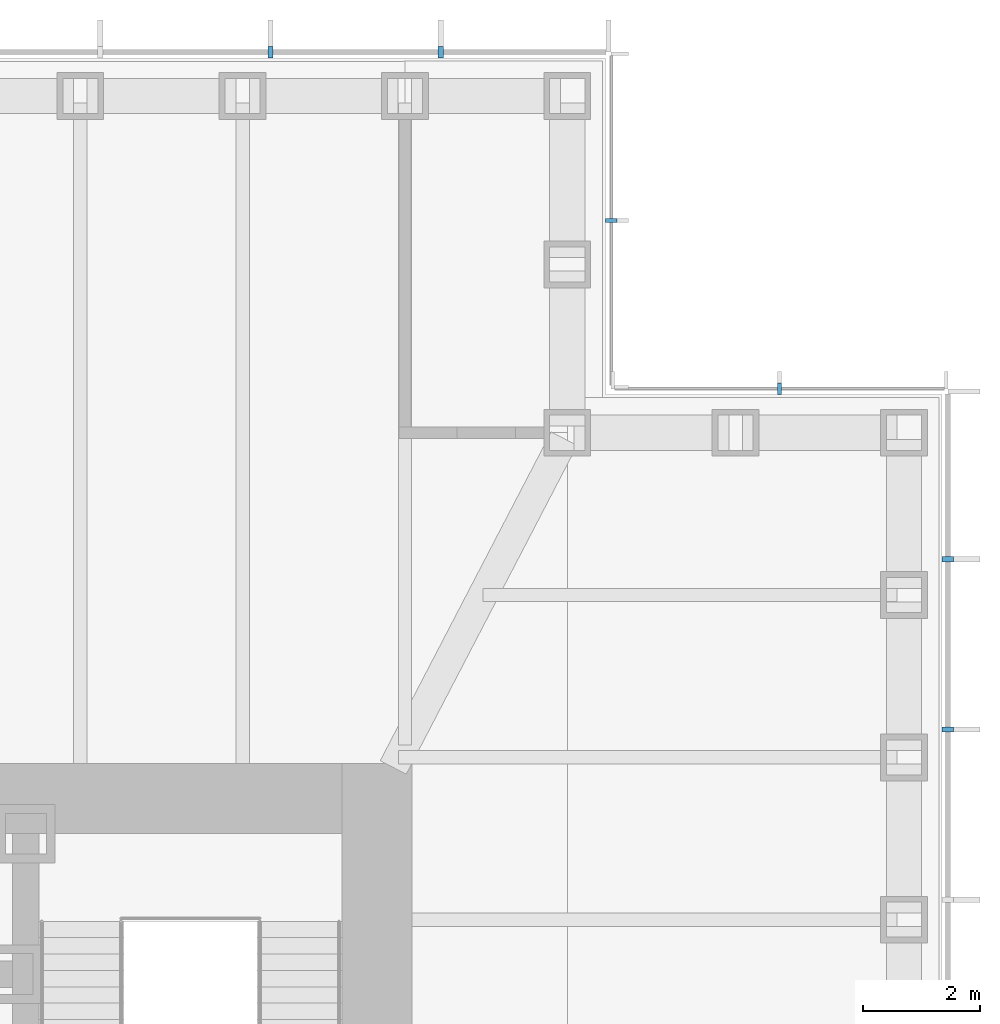
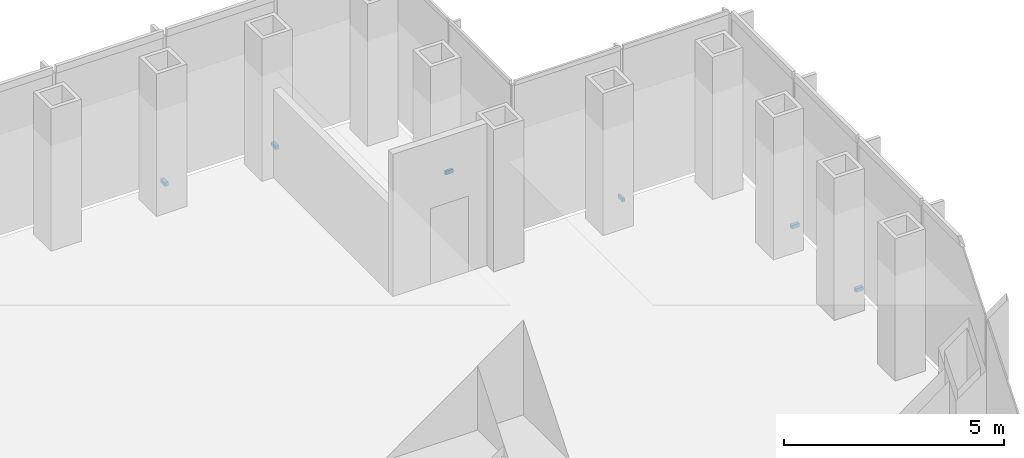
# One storey, part 15 of 16: 6 discrete accessories.
"""IFC4 building model written with IfcOpenShell, lengths in metres."""

from ifc_helpers import new_model, si_unit, direction, frame, origin, origin_2d, place, context, subcontext, project, spatial, rectangle, extrude, element, save


model = new_model("IFC4")

# Units and contexts
model_context = context("Model", 3, precision=1e-05, world=origin(), true_north=direction((0.0, 1.0)))
body_context = subcontext(model_context, "Body", "Model", "MODEL_VIEW")
ifc_project = project(units=[si_unit("LENGTHUNIT", "METRE"), si_unit("AREAUNIT", "SQUARE_METRE"), si_unit("VOLUMEUNIT", "CUBIC_METRE"), si_unit("PLANEANGLEUNIT", "RADIAN"), si_unit("MASSUNIT", "GRAM", prefix="KILO")], contexts=[model_context])

# Site, building, storey
site_placement = place(None, origin())
site = spatial("IfcSite", under=ifc_project, at=site_placement, CompositionType="ELEMENT")
building_placement = place(site_placement, origin())
building = spatial("IfcBuilding", under=site, at=building_placement, Name="Daluyong Arena Tower", CompositionType="ELEMENT")
storey_placement = place(building_placement, frame((0.0, 0.0, 275.5)))
storey = spatial("IfcBuildingStorey", under=building, at=storey_placement, Name="L62", CompositionType="ELEMENT", Elevation=275.5)

# Discrete accessories
for number, where, z_axis, x_axis, name in (
    (1, (77.75, 90.181884765625, -0.10009765625), (0.0, 0.0, 1.0), (0.0, 1.0, 0.0), "curtain wall L62 E anchor bracket 10"),
    (2, (77.75, 93.0908203125, -0.10009765625), (0.0, 0.0, 1.0), (0.0, 1.0, 0.0), "curtain wall L62 E anchor bracket 11"),
):
    element("IfcDiscreteAccessory", number, at=place(storey_placement, frame(where, z_axis=z_axis, x_axis=x_axis)), inside=storey, Name=name, PredefinedType="BRACKET", context=body_context, shape_type="SweptSolid", body=[
        extrude(rectangle(XDim=0.090087890625, YDim=0.199951171875, at=origin_2d()), origin(), (0.0, 0.0, 1.0), 0.10009765625),
    ])
for number, where, z_axis, x_axis, name in (
    (3, (74.875, 96.0, -0.10009765625), (0.0, 0.0, 1.0), (-1.0, 0.0, 0.0), "curtain wall L62 NE-N anchor bracket 2"),
    (4, (72.0, 98.875, -0.10009765625), (0.0, 0.0, 1.0), (0.0, 1.0, 0.0), "curtain wall L62 NE-E anchor bracket 2"),
):
    element("IfcDiscreteAccessory", number, at=place(storey_placement, frame(where, z_axis=z_axis, x_axis=x_axis)), inside=storey, Name=name, PredefinedType="BRACKET", context=body_context, shape_type="SweptSolid", body=[
        extrude(rectangle(XDim=0.06005859375, YDim=0.199951171875, at=origin_2d()), origin(), (0.0, 0.0, 1.0), 0.10009765625),
    ])
for number, where, z_axis, x_axis, name in (
    (5, (69.0908203125, 101.75, -0.10009765625), (0.0, 0.0, 1.0), (-1.0, 0.0, 0.0), "curtain wall L62 N anchor bracket 2"),
    (6, (66.181884765625, 101.75, -0.10009765625), (0.0, 0.0, 1.0), (-1.0, 0.0, 0.0), "curtain wall L62 N anchor bracket 3"),
):
    element("IfcDiscreteAccessory", number, at=place(storey_placement, frame(where, z_axis=z_axis, x_axis=x_axis)), inside=storey, Name=name, PredefinedType="BRACKET", context=body_context, shape_type="SweptSolid", body=[
        extrude(rectangle(XDim=0.090087890625, YDim=0.199951171875, at=origin_2d()), origin(), (0.0, 0.0, 1.0), 0.10009765625),
    ])

save(model, "model.ifc")
